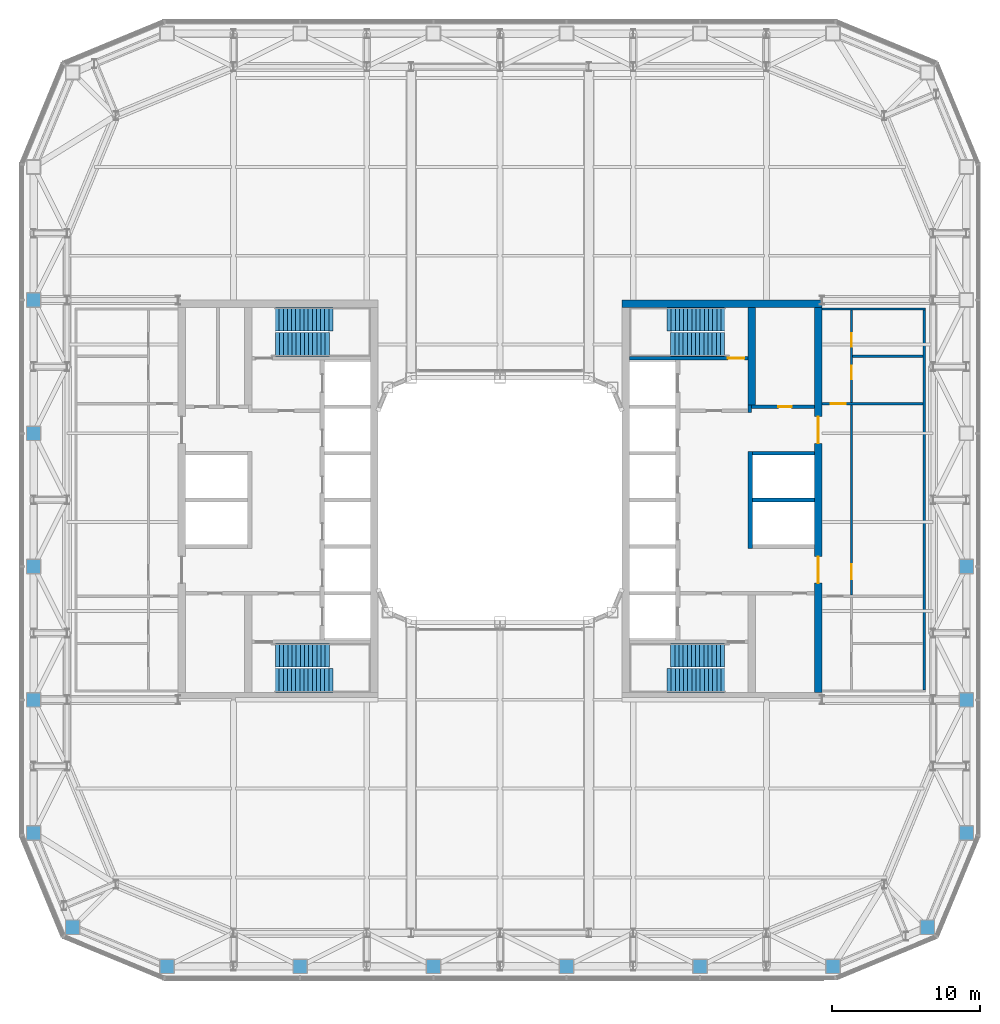
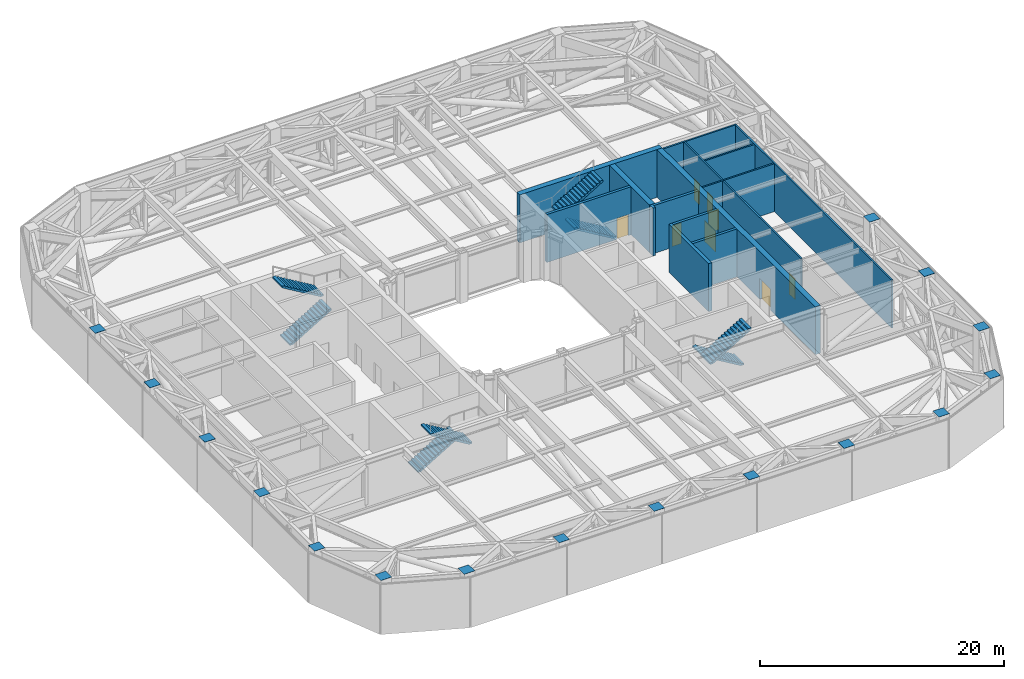
# One storey, part 18 of 33: 16 discrete accessories, 15 walls, 8 doors, 8 stair flights, 8 openings, 4 elements without a shape of their own.
"""IFC4 building model written with IfcOpenShell, lengths in metres."""

from ifc_helpers import new_model, si_unit, direction, frame, frame_2d, origin, origin_2d, place, context, subcontext, project, spatial, polyline, rectangle, outline, extrude, material, layer, layer_set, type_object, element, fill, aggregate, save


model = new_model("IFC4")

# Units and contexts
model_context = context("Model", 3, precision=1e-05, world=origin(), true_north=direction((0.0, 1.0)))
body_context = subcontext(model_context, "Body", "Model", "MODEL_VIEW")
ifc_project = project(units=[si_unit("LENGTHUNIT", "METRE"), si_unit("AREAUNIT", "SQUARE_METRE"), si_unit("VOLUMEUNIT", "CUBIC_METRE"), si_unit("PLANEANGLEUNIT", "RADIAN"), si_unit("MASSUNIT", "GRAM", prefix="KILO")], contexts=[model_context])

# Site, building, storey
site_placement = place(None, origin())
site = spatial("IfcSite", under=ifc_project, at=site_placement, CompositionType="ELEMENT")
building_placement = place(site_placement, origin())
building = spatial("IfcBuilding", under=site, at=building_placement, Name="Siwar Civic Tower", CompositionType="ELEMENT")
storey_placement = place(building_placement, frame((0.0, 0.0, 94.199951171875)))
storey = spatial("IfcBuildingStorey", under=building, at=storey_placement, Name="L20", CompositionType="ELEMENT", Elevation=94.199951171875)

# Wall, opening, door
ifc_material_1 = material(Name="Gypsum board on steel studs", Category="steel")
ifc_layer_1 = layer(ifc_material_1, 0.14990234375)
ifc_layer_set_1 = layer_set([ifc_layer_1], Name="Gypsum board on steel studs")
wall_type_1 = type_object("IfcWallType", Name="COMPARTMENT PARTITION 150 EI 60", PredefinedType="PARTITIONING", material=ifc_layer_set_1)
wall_1_placement = place(storey_placement, frame((21.75, 6.5, 0.0), z_axis=(0.0, 0.0, 1.0), x_axis=(1.0, 0.0, 0.0)))
wall_1 = element("IfcWall", 1, at=wall_1_placement, inside=storey, type_object=wall_type_1, Name="L20/wall/P08", PredefinedType="PARTITIONING", context=body_context, shape_type="SweptSolid", body=[
    extrude(rectangle(XDim=6.824951171875, YDim=0.14990234375, at=frame_2d((3.41259765625, 0.0))), origin(), (0.0, 0.0, 1.0), 4.800048828125),
])
opening_1_placement = place(wall_1_placement, frame((0.60009765625, 0.0, 0.0)))
opening_1 = element("IfcOpeningElement", 2, at=opening_1_placement, cuts=wall_1, Name="Opening D1", PredefinedType="OPENING", context=body_context, shape_type="SweptSolid", body=[
    extrude(rectangle(XDim=1.0, YDim=2.10009765625, at=frame_2d((0.5, 1.050048828125))), frame((0.0, 0.0849609375, 0.0), z_axis=(0.0, -1.0, 0.0), x_axis=(1.0, 0.0, 0.0)), (0.0, 0.0, 1.0), 0.169921875),
])
ifc_material_2 = material(Name="Timber, painted", Category="wood")
door_type_1 = type_object("IfcDoorType", Name="DOOR 1000 X 2100 FD30", OperationType="SINGLE_SWING_LEFT", PredefinedType="DOOR", material=ifc_material_2)
door_1_placement = place(opening_1_placement, origin())
door_1 = element("IfcDoor", 3, at=door_1_placement, inside=storey, type_object=door_type_1, Name="L20-D01", OperationType="SINGLE_SWING_LEFT", OverallHeight=2.10009765625, OverallWidth=1.0, PredefinedType="DOOR", context=body_context, shape_type="SweptSolid", body=[
    extrude(rectangle(XDim=1.0, YDim=2.10009765625, at=frame_2d((0.5, 1.050048828125))), frame((0.0, 0.02490234375, 0.0), z_axis=(0.0, -1.0, 0.0), x_axis=(1.0, 0.0, 0.0)), (0.0, 0.0, 1.0), 0.050048828125),
])
fill(opening_1, door_1)

# Walls
wall_2_placement = place(storey_placement, frame((23.824951171875, 9.699951171875, 0.0), z_axis=(0.0, 0.0, 1.0), x_axis=(1.0, 0.0, 0.0)))
element("IfcWall", 4, at=wall_2_placement, inside=storey, type_object=wall_type_1, Name="L20/wall/P10", PredefinedType="PARTITIONING", context=body_context, shape_type="SweptSolid", body=[
    extrude(rectangle(XDim=4.75, YDim=0.14990234375, at=frame_2d((2.375, 0.0))), origin(), (0.0, 0.0, 1.0), 4.800048828125),
])
wall_3_placement = place(storey_placement, frame((21.75, 12.89990234375, 0.0), z_axis=(0.0, 0.0, 1.0), x_axis=(1.0, 0.0, 0.0)))
element("IfcWall", 5, at=wall_3_placement, inside=storey, type_object=wall_type_1, Name="L20/wall/P12", PredefinedType="PARTITIONING", context=body_context, shape_type="SweptSolid", body=[
    extrude(rectangle(XDim=6.97509765625, YDim=0.14990234375, at=frame_2d((3.487548828125, 0.0))), origin(), (0.0, 0.0, 1.0), 4.800048828125),
])

# Wall, opening, door
wall_4_placement = place(storey_placement, frame((23.75, -6.425048828125, 0.0), z_axis=(0.0, 0.0, 1.0), x_axis=(0.0, 1.0, 0.0)))
wall_4 = element("IfcWall", 6, at=wall_4_placement, inside=storey, type_object=wall_type_1, Name="L20/wall/P18", PredefinedType="PARTITIONING", context=body_context, shape_type="SweptSolid", body=[
    extrude(rectangle(XDim=12.85009765625, YDim=0.14990234375, at=frame_2d((6.425048828125, 0.0))), origin(), (0.0, 0.0, 1.0), 4.800048828125),
])
opening_2_placement = place(wall_4_placement, frame((1.074951171875, 0.0, 0.0)))
opening_2 = element("IfcOpeningElement", 7, at=opening_2_placement, cuts=wall_4, Name="Opening D1", PredefinedType="OPENING", context=body_context, shape_type="SweptSolid", body=[
    extrude(rectangle(XDim=1.0, YDim=2.10009765625, at=frame_2d((0.5, 1.050048828125))), frame((0.0, 0.0849609375, 0.0), z_axis=(0.0, -1.0, 0.0), x_axis=(1.0, 0.0, 0.0)), (0.0, 0.0, 1.0), 0.169921875),
])
door_2_placement = place(opening_2_placement, origin())
door_2 = element("IfcDoor", 8, at=door_2_placement, inside=storey, type_object=door_type_1, Name="L20-D03", OperationType="SINGLE_SWING_LEFT", OverallHeight=2.10009765625, OverallWidth=1.0, PredefinedType="DOOR", context=body_context, shape_type="SweptSolid", body=[
    extrude(rectangle(XDim=1.0, YDim=2.10009765625, at=frame_2d((0.5, 1.050048828125))), frame((0.0, 0.02490234375, 0.0), z_axis=(0.0, -1.0, 0.0), x_axis=(1.0, 0.0, 0.0)), (0.0, 0.0, 1.0), 0.050048828125),
])
fill(opening_2, door_2)

# Wall, openings, doors
wall_5_placement = place(storey_placement, frame((23.75, 6.574951171875, 0.0), z_axis=(0.0, 0.0, 1.0), x_axis=(0.0, 1.0, 0.0)))
wall_5 = element("IfcWall", 9, at=wall_5_placement, inside=storey, type_object=wall_type_1, Name="L20/wall/P19", PredefinedType="PARTITIONING", context=body_context, shape_type="SweptSolid", body=[
    extrude(rectangle(XDim=6.25, YDim=0.14990234375, at=frame_2d((3.125, 0.0))), origin(), (0.0, 0.0, 1.0), 4.800048828125),
])
opening_3_placement = place(wall_5_placement, frame((1.574951171875, 0.0, 0.0)))
opening_3 = element("IfcOpeningElement", 10, at=opening_3_placement, cuts=wall_5, Name="Opening D4", PredefinedType="OPENING", context=body_context, shape_type="SweptSolid", body=[
    extrude(rectangle(XDim=0.89990234375, YDim=2.10009765625, at=frame_2d((0.449951171875, 1.050048828125))), frame((0.0, 0.0849609375, 0.0), z_axis=(0.0, -1.0, 0.0), x_axis=(1.0, 0.0, 0.0)), (0.0, 0.0, 1.0), 0.169921875),
])
opening_4_placement = place(wall_5_placement, frame((3.77490234375, 0.0, 0.0)))
opening_4 = element("IfcOpeningElement", 11, at=opening_4_placement, cuts=wall_5, Name="Opening D4", PredefinedType="OPENING", context=body_context, shape_type="SweptSolid", body=[
    extrude(rectangle(XDim=0.89990234375, YDim=2.10009765625, at=frame_2d((0.449951171875, 1.050048828125))), frame((0.0, 0.0849609375, 0.0), z_axis=(0.0, -1.0, 0.0), x_axis=(1.0, 0.0, 0.0)), (0.0, 0.0, 1.0), 0.169921875),
])
ifc_material_3 = material(Name="Timber, painted", Category="wood")
door_type_2 = type_object("IfcDoorType", Name="DOOR 900 X 2100 FD60", OperationType="SINGLE_SWING_LEFT", PredefinedType="DOOR", material=ifc_material_3)
door_3_placement = place(opening_3_placement, origin())
door_3 = element("IfcDoor", 12, at=door_3_placement, inside=storey, type_object=door_type_2, Name="L20-D04", OperationType="SINGLE_SWING_RIGHT", OverallHeight=2.10009765625, OverallWidth=0.89990234375, PredefinedType="DOOR", context=body_context, shape_type="SweptSolid", body=[
    extrude(rectangle(XDim=0.89990234375, YDim=2.10009765625, at=frame_2d((0.449951171875, 1.050048828125))), frame((0.0, 0.02490234375, 0.0), z_axis=(0.0, -1.0, 0.0), x_axis=(1.0, 0.0, 0.0)), (0.0, 0.0, 1.0), 0.050048828125),
])
fill(opening_3, door_3)
door_4_placement = place(opening_4_placement, origin())
door_4 = element("IfcDoor", 13, at=door_4_placement, inside=storey, type_object=door_type_2, Name="L20-D05", OperationType="SINGLE_SWING_LEFT", OverallHeight=2.10009765625, OverallWidth=0.89990234375, PredefinedType="DOOR", context=body_context, shape_type="SweptSolid", body=[
    extrude(rectangle(XDim=0.89990234375, YDim=2.10009765625, at=frame_2d((0.449951171875, 1.050048828125))), frame((0.0, 0.02490234375, 0.0), z_axis=(0.0, -1.0, 0.0), x_axis=(1.0, 0.0, 0.0)), (0.0, 0.0, 1.0), 0.050048828125),
])
fill(opening_4, door_4)

# Walls
wall_6_placement = place(storey_placement, frame((28.64990234375, -12.824951171875, 0.0), z_axis=(0.0, 0.0, 1.0), x_axis=(0.0, 1.0, 0.0)))
element("IfcWall", 14, at=wall_6_placement, inside=storey, type_object=wall_type_1, Name="L20/wall/P20", PredefinedType="PARTITIONING", context=body_context, shape_type="SweptSolid", body=[
    extrude(rectangle(XDim=25.64990234375, YDim=0.14990234375, at=frame_2d((12.824951171875, 0.0))), origin(), (0.0, 0.0, 1.0), 4.800048828125),
])
ifc_material_4 = material(Name="Concrete C60/75", Category="concrete")
ifc_layer_2 = layer(ifc_material_4, 0.25)
ifc_layer_set_2 = layer_set([ifc_layer_2], Name="Concrete C60/75")
wall_type_2 = type_object("IfcWallType", Name="CORE-WALL-RC250", PredefinedType="SHEAR", material=ifc_layer_set_2)
wall_7_placement = place(storey_placement, frame((16.875, 5.89990234375, 0.0), z_axis=(0.0, 0.0, 1.0), x_axis=(0.0, 1.0, 0.0)))
element("IfcWall", 15, at=wall_7_placement, inside=storey, type_object=wall_type_2, Name="Core wall E", PredefinedType="SHEAR", context=body_context, shape_type="SweptSolid", body=[
    extrude(rectangle(XDim=0.525146484375, YDim=0.25, at=frame_2d((0.2626953125, 0.0))), origin(), (0.0, 0.0, 1.0), 4.800048828125),
])

# Wall, opening, door
wall_8_placement = place(storey_placement, frame((17.0, 6.300048828125, 0.0), z_axis=(0.0, 0.0, 1.0), x_axis=(1.0, 0.0, 0.0)))
wall_8 = element("IfcWall", 16, at=wall_8_placement, inside=storey, type_object=wall_type_2, Name="Core wall E", PredefinedType="SHEAR", context=body_context, shape_type="SweptSolid", body=[
    extrude(rectangle(XDim=4.25, YDim=0.25, at=frame_2d((2.125, 0.0))), origin(), (0.0, 0.0, 1.0), 4.800048828125),
])
opening_5_placement = place(wall_8_placement, frame((1.800048828125, 0.0, 0.0)))
opening_5 = element("IfcOpeningElement", 17, at=opening_5_placement, cuts=wall_8, Name="Opening L20-CE13", PredefinedType="OPENING", context=body_context, shape_type="SweptSolid", body=[
    extrude(rectangle(XDim=0.89990234375, YDim=2.10009765625, at=frame_2d((0.449951171875, 1.050048828125))), frame((0.0, 0.135009765625, 0.0), z_axis=(0.0, -1.0, 0.0), x_axis=(1.0, 0.0, 0.0)), (0.0, 0.0, 1.0), 0.27001953125),
])
ifc_material_5 = material(Name="Steel door leaf", Category="steel")
door_type_3 = type_object("IfcDoorType", Name="CORE-DOOR-ROOM", OperationType="SINGLE_SWING_LEFT", PredefinedType="DOOR", material=ifc_material_5)
door_5_placement = place(opening_5_placement, origin())
door_5 = element("IfcDoor", 18, at=door_5_placement, inside=storey, type_object=door_type_3, Name="Core room door L20-CE13", OperationType="SINGLE_SWING_RIGHT", OverallHeight=2.10009765625, OverallWidth=0.89990234375, PredefinedType="DOOR", context=body_context, shape_type="SweptSolid", body=[
    extrude(rectangle(XDim=0.89990234375, YDim=2.10009765625, at=frame_2d((0.449951171875, 1.050048828125))), frame((0.0, 0.02490234375, 0.0), z_axis=(0.0, -1.0, 0.0), x_axis=(1.0, 0.0, 0.0)), (0.0, 0.0, 1.0), 0.050048828125),
])
fill(opening_5, door_5)

# Walls
for number, where, z_axis, x_axis, name in (
    (19, (17.050048828125, 0.0, 0.0), (0.0, 0.0, 1.0), (1.0, 0.0, 0.0), "Core wall E"),
    (20, (17.050048828125, 3.14990234375, 0.0), (0.0, 0.0, 1.0), (1.0, 0.0, 0.0), "Core wall E"),
):
    element("IfcWall", number, at=place(storey_placement, frame(where, z_axis=z_axis, x_axis=x_axis)), inside=storey, type_object=wall_type_2, Name=name, PredefinedType="SHEAR", context=body_context, shape_type="SweptSolid", body=[
        extrude(rectangle(XDim=4.199951171875, YDim=0.25, at=frame_2d((2.10009765625, 0.0))), origin(), (0.0, 0.0, 1.0), 4.800048828125),
    ])

# Wall, opening, door
wall_9_placement = place(storey_placement, frame((8.75, 9.574951171875, 0.0), z_axis=(0.0, 0.0, 1.0), x_axis=(1.0, 0.0, 0.0)))
wall_9 = element("IfcWall", 21, at=wall_9_placement, inside=storey, type_object=wall_type_2, Name="Core wall E", PredefinedType="SHEAR", context=body_context, shape_type="SweptSolid", body=[
    extrude(rectangle(XDim=8.0, YDim=0.25, at=frame_2d((4.0, 0.0))), origin(), (0.0, 0.0, 1.0), 4.800048828125),
])
opening_6_placement = place(wall_9_placement, frame((6.64990234375, 0.0, 0.0)))
opening_6 = element("IfcOpeningElement", 22, at=opening_6_placement, cuts=wall_9, Name="Opening L20-CE03", PredefinedType="OPENING", context=body_context, shape_type="SweptSolid", body=[
    extrude(rectangle(XDim=1.10009765625, YDim=2.10009765625, at=frame_2d((0.550048828125, 1.050048828125))), frame((0.0, 0.135009765625, 0.0), z_axis=(0.0, -1.0, 0.0), x_axis=(1.0, 0.0, 0.0)), (0.0, 0.0, 1.0), 0.27001953125),
])
ifc_material_6 = material(Name="Steel door leaf", Category="steel")
door_type_4 = type_object("IfcDoorType", Name="CORE-DOOR-FD60S", OperationType="SINGLE_SWING_LEFT", PredefinedType="DOOR", material=ifc_material_6)
door_6_placement = place(opening_6_placement, origin())
door_6 = element("IfcDoor", 23, at=door_6_placement, inside=storey, type_object=door_type_4, Name="Stair door L20-CE03", OperationType="SINGLE_SWING_LEFT", OverallHeight=2.10009765625, OverallWidth=1.10009765625, PredefinedType="DOOR", context=body_context, shape_type="SweptSolid", body=[
    extrude(rectangle(XDim=1.10009765625, YDim=2.10009765625, at=frame_2d((0.550048828125, 1.050048828125))), frame((0.0, 0.02490234375, 0.0), z_axis=(0.0, -1.0, 0.0), x_axis=(1.0, 0.0, 0.0)), (0.0, 0.0, 1.0), 0.050048828125),
])
fill(opening_6, door_6)

# Wall
ifc_material_7 = material(Name="Concrete C60/75", Category="concrete")
ifc_layer_3 = layer(ifc_material_7, 0.300048828125)
ifc_layer_set_3 = layer_set([ifc_layer_3], Name="Concrete C60/75")
wall_type_3 = type_object("IfcWallType", Name="CORE-WALL-RC300", PredefinedType="SHEAR", material=ifc_layer_set_3)
wall_10_placement = place(storey_placement, frame((16.89990234375, -3.27490234375, 0.0), z_axis=(0.0, 0.0, 1.0), x_axis=(0.0, 1.0, 0.0)))
element("IfcWall", 24, at=wall_10_placement, inside=storey, type_object=wall_type_3, Name="Core wall E", PredefinedType="SHEAR", context=body_context, shape_type="SweptSolid", body=[
    extrude(rectangle(XDim=6.5498046875, YDim=0.300048828125, at=frame_2d((3.27490234375, 0.0))), origin(), (0.0, 0.0, 1.0), 4.800048828125),
])

# Wall, openings, doors
ifc_material_8 = material(Name="Concrete C60/75", Category="concrete")
ifc_layer_4 = layer(ifc_material_8, 0.5)
ifc_layer_set_4 = layer_set([ifc_layer_4], Name="Concrete C60/75")
wall_type_4 = type_object("IfcWallType", Name="CORE-WALL-RC500", PredefinedType="SHEAR", material=ifc_layer_set_4)
wall_11_placement = place(storey_placement, frame((21.5, -13.0, 0.0), z_axis=(0.0, 0.0, 1.0), x_axis=(0.0, 1.0, 0.0)))
wall_11 = element("IfcWall", 25, at=wall_11_placement, inside=storey, type_object=wall_type_4, Name="Core wall E", PredefinedType="SHEAR", context=body_context, shape_type="SweptSolid", body=[
    extrude(rectangle(XDim=26.0, YDim=0.5, at=frame_2d((13.0, 0.0))), origin(), (0.0, 0.0, 1.0), 4.800048828125),
])
opening_7_placement = place(wall_11_placement, frame((16.824951171875, 0.0, 0.0)))
opening_7 = element("IfcOpeningElement", 26, at=opening_7_placement, cuts=wall_11, Name="Opening L20-CE05", PredefinedType="OPENING", context=body_context, shape_type="SweptSolid", body=[
    extrude(rectangle(XDim=1.800048828125, YDim=2.10009765625, at=frame_2d((0.89990234375, 1.050048828125))), frame((0.0, 0.260009765625, 0.0), z_axis=(0.0, -1.0, 0.0), x_axis=(1.0, 0.0, 0.0)), (0.0, 0.0, 1.0), 0.52001953125),
])
opening_8_placement = place(wall_11_placement, frame((7.375, 0.0, 0.0)))
opening_8 = element("IfcOpeningElement", 27, at=opening_8_placement, cuts=wall_11, Name="Opening L20-CE06", PredefinedType="OPENING", context=body_context, shape_type="SweptSolid", body=[
    extrude(rectangle(XDim=1.800048828125, YDim=2.10009765625, at=frame_2d((0.89990234375, 1.050048828125))), frame((0.0, 0.260009765625, 0.0), z_axis=(0.0, -1.0, 0.0), x_axis=(1.0, 0.0, 0.0)), (0.0, 0.0, 1.0), 0.52001953125),
])
ifc_material_9 = material(Name="Steel door leaf", Category="steel")
door_type_5 = type_object("IfcDoorType", Name="CORE-DOOR-PORT", OperationType="DOUBLE_DOOR_DOUBLE_SWING", PredefinedType="DOOR", material=ifc_material_9)
door_7_placement = place(opening_7_placement, origin())
door_7 = element("IfcDoor", 28, at=door_7_placement, inside=storey, type_object=door_type_5, Name="Core entrance door L20-CE05", OperationType="DOUBLE_DOOR_DOUBLE_SWING", OverallHeight=2.10009765625, OverallWidth=1.800048828125, PredefinedType="DOOR", context=body_context, shape_type="SweptSolid", body=[
    extrude(rectangle(XDim=1.800048828125, YDim=2.10009765625, at=frame_2d((0.89990234375, 1.050048828125))), frame((0.0, 0.02490234375, 0.0), z_axis=(0.0, -1.0, 0.0), x_axis=(1.0, 0.0, 0.0)), (0.0, 0.0, 1.0), 0.050048828125),
])
fill(opening_7, door_7)
door_8_placement = place(opening_8_placement, origin())
door_8 = element("IfcDoor", 29, at=door_8_placement, inside=storey, type_object=door_type_5, Name="Core entrance door L20-CE06", OperationType="DOUBLE_DOOR_DOUBLE_SWING", OverallHeight=2.10009765625, OverallWidth=1.800048828125, PredefinedType="DOOR", context=body_context, shape_type="SweptSolid", body=[
    extrude(rectangle(XDim=1.800048828125, YDim=2.10009765625, at=frame_2d((0.89990234375, 1.050048828125))), frame((0.0, 0.02490234375, 0.0), z_axis=(0.0, -1.0, 0.0), x_axis=(1.0, 0.0, 0.0)), (0.0, 0.0, 1.0), 0.050048828125),
])
fill(opening_8, door_8)

# Walls
wall_12_placement = place(storey_placement, frame((17.0, 6.425048828125, 0.0), z_axis=(0.0, 0.0, 1.0), x_axis=(0.0, 1.0, 0.0)))
element("IfcWall", 30, at=wall_12_placement, inside=storey, type_object=wall_type_4, Name="Core wall E", PredefinedType="SHEAR", context=body_context, shape_type="SweptSolid", body=[
    extrude(rectangle(XDim=6.574951171875, YDim=0.5, at=frame_2d((3.28759765625, 0.0))), origin(), (0.0, 0.0, 1.0), 4.800048828125),
])
wall_13_placement = place(storey_placement, frame((8.25, 13.25, 0.0), z_axis=(0.0, 0.0, 1.0), x_axis=(1.0, 0.0, 0.0)))
element("IfcWall", 31, at=wall_13_placement, inside=storey, type_object=wall_type_4, Name="Core wall E", PredefinedType="SHEAR", context=body_context, shape_type="SweptSolid", body=[
    extrude(rectangle(XDim=13.5, YDim=0.5, at=frame_2d((6.75, 0.0))), origin(), (0.0, 0.0, 1.0), 4.800048828125),
])

# Stair, stair flights
ifc_material_10 = material(Name="Concrete C40/50", Category="concrete")
stair_type = type_object("IfcStairType", Name="CORE-STAIR", PredefinedType="TWO_STRAIGHT_RUN_STAIR", material=ifc_material_10)
stair_1_placement = place(storey_placement, origin())
stair_1 = element("IfcStair", 32, at=stair_1_placement, inside=storey, type_object=stair_type, Name="Exit stair ST1", PredefinedType="TWO_STRAIGHT_RUN_STAIR")
ifc_material_11 = material(Name="Concrete C40/50", Category="concrete")
stair_flight_type = type_object("IfcStairFlightType", Name="CORE-STAIR-FLIGHT", PredefinedType="STRAIGHT", material=ifc_material_11)
stair_flight_1_placement = place(storey_placement, frame((-15.449951171875, 10.5, 0.0), z_axis=(0.0, 0.0, 1.0), x_axis=(1.0, 0.0, 0.0)))
stair_flight_1 = element("IfcStairFlight", 33, at=stair_flight_1_placement, type_object=stair_flight_type, Name="ST1 flight 1", NumberOfRisers=15, NumberOfTreads=14, PredefinedType="STRAIGHT", RiserHeight=0.166666667, TreadLength=0.28, context=body_context, shape_type="SweptSolid", body=[
    extrude(outline(polyline([(0.0, 0.0), (0.0, 0.166748046875), (0.280029296875, 0.166748046875), (0.280029296875, 0.333251953125), (0.56005859375, 0.333251953125), (0.56005859375, 0.5), (0.840087890625, 0.5), (0.840087890625, 0.666748046875), (1.1201171875, 0.666748046875), (1.1201171875, 0.833251953125), (1.39990234375, 0.833251953125), (1.39990234375, 1.0), (1.679931640625, 1.0), (1.679931640625, 1.166748046875), (1.9599609375, 1.166748046875), (1.9599609375, 1.333251953125), (2.239990234375, 1.333251953125), (2.239990234375, 1.5), (2.52001953125, 1.5), (2.52001953125, 1.666748046875), (2.800048828125, 1.666748046875), (2.800048828125, 1.833251953125), (3.080078125, 1.833251953125), (3.080078125, 2.0), (3.360107421875, 2.0), (3.360107421875, 2.166748046875), (3.639892578125, 2.166748046875), (3.639892578125, 2.333251953125), (3.919921875, 2.333251953125), (3.919921875, 2.5), (3.919921875, 2.158935546875), (0.29296875, 0.0), (0.0, 0.0)])), frame((0.0, 0.800048828125, 0.0), z_axis=(0.0, -1.0, 0.0), x_axis=(1.0, 0.0, 0.0)), (0.0, 0.0, 1.0), 1.60009765625),
])
stair_flight_2_placement = place(storey_placement, frame((-11.280029296875, 12.199951171875, 2.5), z_axis=(0.0, 0.0, 1.0), x_axis=(-1.0, 0.0, 0.0)))
stair_flight_2 = element("IfcStairFlight", 34, at=stair_flight_2_placement, type_object=stair_flight_type, Name="ST1 flight 2", NumberOfRisers=15, NumberOfTreads=14, PredefinedType="STRAIGHT", RiserHeight=0.166666667, TreadLength=0.28, context=body_context, shape_type="SweptSolid", body=[
    extrude(outline(polyline([(0.0, 0.0), (0.0, 0.166748046875), (0.280029296875, 0.166748046875), (0.280029296875, 0.333251953125), (0.56005859375, 0.333251953125), (0.56005859375, 0.5), (0.840087890625, 0.5), (0.840087890625, 0.666748046875), (1.1201171875, 0.666748046875), (1.1201171875, 0.833251953125), (1.39990234375, 0.833251953125), (1.39990234375, 1.0), (1.679931640625, 1.0), (1.679931640625, 1.166748046875), (1.9599609375, 1.166748046875), (1.9599609375, 1.333251953125), (2.239990234375, 1.333251953125), (2.239990234375, 1.5), (2.52001953125, 1.5), (2.52001953125, 1.666748046875), (2.800048828125, 1.666748046875), (2.800048828125, 1.833251953125), (3.080078125, 1.833251953125), (3.080078125, 2.0), (3.360107421875, 2.0), (3.360107421875, 2.166748046875), (3.639892578125, 2.166748046875), (3.639892578125, 2.333251953125), (3.919921875, 2.333251953125), (3.919921875, 2.5), (3.919921875, 2.158935546875), (0.29296875, 0.0), (0.0, 0.0)])), frame((0.0, 0.800048828125, 0.0), z_axis=(0.0, -1.0, 0.0), x_axis=(1.0, 0.0, 0.0)), (0.0, 0.0, 1.0), 1.60009765625),
])
aggregate(stair_1, [stair_flight_1, stair_flight_2])

stair_2_placement = place(storey_placement, origin())
stair_2 = element("IfcStair", 35, at=stair_2_placement, inside=storey, type_object=stair_type, Name="Exit stair ST2", PredefinedType="TWO_STRAIGHT_RUN_STAIR")
stair_flight_3_placement = place(storey_placement, frame((-15.449951171875, -10.5, 0.0), z_axis=(0.0, 0.0, 1.0), x_axis=(1.0, 0.0, 0.0)))
stair_flight_3 = element("IfcStairFlight", 36, at=stair_flight_3_placement, type_object=stair_flight_type, Name="ST2 flight 1", NumberOfRisers=15, NumberOfTreads=14, PredefinedType="STRAIGHT", RiserHeight=0.166666667, TreadLength=0.28, context=body_context, shape_type="SweptSolid", body=[
    extrude(outline(polyline([(0.0, 0.0), (0.0, 0.166748046875), (0.280029296875, 0.166748046875), (0.280029296875, 0.333251953125), (0.56005859375, 0.333251953125), (0.56005859375, 0.5), (0.840087890625, 0.5), (0.840087890625, 0.666748046875), (1.1201171875, 0.666748046875), (1.1201171875, 0.833251953125), (1.39990234375, 0.833251953125), (1.39990234375, 1.0), (1.679931640625, 1.0), (1.679931640625, 1.166748046875), (1.9599609375, 1.166748046875), (1.9599609375, 1.333251953125), (2.239990234375, 1.333251953125), (2.239990234375, 1.5), (2.52001953125, 1.5), (2.52001953125, 1.666748046875), (2.800048828125, 1.666748046875), (2.800048828125, 1.833251953125), (3.080078125, 1.833251953125), (3.080078125, 2.0), (3.360107421875, 2.0), (3.360107421875, 2.166748046875), (3.639892578125, 2.166748046875), (3.639892578125, 2.333251953125), (3.919921875, 2.333251953125), (3.919921875, 2.5), (3.919921875, 2.158935546875), (0.29296875, 0.0), (0.0, 0.0)])), frame((0.0, 0.800048828125, 0.0), z_axis=(0.0, -1.0, 0.0), x_axis=(1.0, 0.0, 0.0)), (0.0, 0.0, 1.0), 1.60009765625),
])
stair_flight_4_placement = place(storey_placement, frame((-11.280029296875, -12.199951171875, 2.5), z_axis=(0.0, 0.0, 1.0), x_axis=(-1.0, 0.0, 0.0)))
stair_flight_4 = element("IfcStairFlight", 37, at=stair_flight_4_placement, type_object=stair_flight_type, Name="ST2 flight 2", NumberOfRisers=15, NumberOfTreads=14, PredefinedType="STRAIGHT", RiserHeight=0.166666667, TreadLength=0.28, context=body_context, shape_type="SweptSolid", body=[
    extrude(outline(polyline([(0.0, 0.0), (0.0, 0.166748046875), (0.280029296875, 0.166748046875), (0.280029296875, 0.333251953125), (0.56005859375, 0.333251953125), (0.56005859375, 0.5), (0.840087890625, 0.5), (0.840087890625, 0.666748046875), (1.1201171875, 0.666748046875), (1.1201171875, 0.833251953125), (1.39990234375, 0.833251953125), (1.39990234375, 1.0), (1.679931640625, 1.0), (1.679931640625, 1.166748046875), (1.9599609375, 1.166748046875), (1.9599609375, 1.333251953125), (2.239990234375, 1.333251953125), (2.239990234375, 1.5), (2.52001953125, 1.5), (2.52001953125, 1.666748046875), (2.800048828125, 1.666748046875), (2.800048828125, 1.833251953125), (3.080078125, 1.833251953125), (3.080078125, 2.0), (3.360107421875, 2.0), (3.360107421875, 2.166748046875), (3.639892578125, 2.166748046875), (3.639892578125, 2.333251953125), (3.919921875, 2.333251953125), (3.919921875, 2.5), (3.919921875, 2.158935546875), (0.29296875, 0.0), (0.0, 0.0)])), frame((0.0, 0.800048828125, 0.0), z_axis=(0.0, -1.0, 0.0), x_axis=(1.0, 0.0, 0.0)), (0.0, 0.0, 1.0), 1.60009765625),
])
aggregate(stair_2, [stair_flight_3, stair_flight_4])

stair_3_placement = place(storey_placement, origin())
stair_3 = element("IfcStair", 38, at=stair_3_placement, inside=storey, type_object=stair_type, Name="Exit stair ST3", PredefinedType="TWO_STRAIGHT_RUN_STAIR")
stair_flight_5_placement = place(storey_placement, frame((15.449951171875, 10.5, 0.0), z_axis=(0.0, 0.0, 1.0), x_axis=(-1.0, 0.0, 0.0)))
stair_flight_5 = element("IfcStairFlight", 39, at=stair_flight_5_placement, type_object=stair_flight_type, Name="ST3 flight 1", NumberOfRisers=15, NumberOfTreads=14, PredefinedType="STRAIGHT", RiserHeight=0.166666667, TreadLength=0.28, context=body_context, shape_type="SweptSolid", body=[
    extrude(outline(polyline([(0.0, 0.0), (0.0, 0.166748046875), (0.280029296875, 0.166748046875), (0.280029296875, 0.333251953125), (0.56005859375, 0.333251953125), (0.56005859375, 0.5), (0.840087890625, 0.5), (0.840087890625, 0.666748046875), (1.1201171875, 0.666748046875), (1.1201171875, 0.833251953125), (1.39990234375, 0.833251953125), (1.39990234375, 1.0), (1.679931640625, 1.0), (1.679931640625, 1.166748046875), (1.9599609375, 1.166748046875), (1.9599609375, 1.333251953125), (2.239990234375, 1.333251953125), (2.239990234375, 1.5), (2.52001953125, 1.5), (2.52001953125, 1.666748046875), (2.800048828125, 1.666748046875), (2.800048828125, 1.833251953125), (3.080078125, 1.833251953125), (3.080078125, 2.0), (3.360107421875, 2.0), (3.360107421875, 2.166748046875), (3.639892578125, 2.166748046875), (3.639892578125, 2.333251953125), (3.919921875, 2.333251953125), (3.919921875, 2.5), (3.919921875, 2.158935546875), (0.29296875, 0.0), (0.0, 0.0)])), frame((0.0, 0.800048828125, 0.0), z_axis=(0.0, -1.0, 0.0), x_axis=(1.0, 0.0, 0.0)), (0.0, 0.0, 1.0), 1.60009765625),
])
stair_flight_6_placement = place(storey_placement, frame((11.280029296875, 12.199951171875, 2.5), z_axis=(0.0, 0.0, 1.0), x_axis=(1.0, 0.0, 0.0)))
stair_flight_6 = element("IfcStairFlight", 40, at=stair_flight_6_placement, type_object=stair_flight_type, Name="ST3 flight 2", NumberOfRisers=15, NumberOfTreads=14, PredefinedType="STRAIGHT", RiserHeight=0.166666667, TreadLength=0.28, context=body_context, shape_type="SweptSolid", body=[
    extrude(outline(polyline([(0.0, 0.0), (0.0, 0.166748046875), (0.280029296875, 0.166748046875), (0.280029296875, 0.333251953125), (0.56005859375, 0.333251953125), (0.56005859375, 0.5), (0.840087890625, 0.5), (0.840087890625, 0.666748046875), (1.1201171875, 0.666748046875), (1.1201171875, 0.833251953125), (1.39990234375, 0.833251953125), (1.39990234375, 1.0), (1.679931640625, 1.0), (1.679931640625, 1.166748046875), (1.9599609375, 1.166748046875), (1.9599609375, 1.333251953125), (2.239990234375, 1.333251953125), (2.239990234375, 1.5), (2.52001953125, 1.5), (2.52001953125, 1.666748046875), (2.800048828125, 1.666748046875), (2.800048828125, 1.833251953125), (3.080078125, 1.833251953125), (3.080078125, 2.0), (3.360107421875, 2.0), (3.360107421875, 2.166748046875), (3.639892578125, 2.166748046875), (3.639892578125, 2.333251953125), (3.919921875, 2.333251953125), (3.919921875, 2.5), (3.919921875, 2.158935546875), (0.29296875, 0.0), (0.0, 0.0)])), frame((0.0, 0.800048828125, 0.0), z_axis=(0.0, -1.0, 0.0), x_axis=(1.0, 0.0, 0.0)), (0.0, 0.0, 1.0), 1.60009765625),
])
aggregate(stair_3, [stair_flight_5, stair_flight_6])

stair_4_placement = place(storey_placement, origin())
stair_4 = element("IfcStair", 41, at=stair_4_placement, inside=storey, type_object=stair_type, Name="Exit stair ST4", PredefinedType="TWO_STRAIGHT_RUN_STAIR")
stair_flight_7_placement = place(storey_placement, frame((15.449951171875, -10.5, 0.0), z_axis=(0.0, 0.0, 1.0), x_axis=(-1.0, 0.0, 0.0)))
stair_flight_7 = element("IfcStairFlight", 42, at=stair_flight_7_placement, type_object=stair_flight_type, Name="ST4 flight 1", NumberOfRisers=15, NumberOfTreads=14, PredefinedType="STRAIGHT", RiserHeight=0.166666667, TreadLength=0.28, context=body_context, shape_type="SweptSolid", body=[
    extrude(outline(polyline([(0.0, 0.0), (0.0, 0.166748046875), (0.280029296875, 0.166748046875), (0.280029296875, 0.333251953125), (0.56005859375, 0.333251953125), (0.56005859375, 0.5), (0.840087890625, 0.5), (0.840087890625, 0.666748046875), (1.1201171875, 0.666748046875), (1.1201171875, 0.833251953125), (1.39990234375, 0.833251953125), (1.39990234375, 1.0), (1.679931640625, 1.0), (1.679931640625, 1.166748046875), (1.9599609375, 1.166748046875), (1.9599609375, 1.333251953125), (2.239990234375, 1.333251953125), (2.239990234375, 1.5), (2.52001953125, 1.5), (2.52001953125, 1.666748046875), (2.800048828125, 1.666748046875), (2.800048828125, 1.833251953125), (3.080078125, 1.833251953125), (3.080078125, 2.0), (3.360107421875, 2.0), (3.360107421875, 2.166748046875), (3.639892578125, 2.166748046875), (3.639892578125, 2.333251953125), (3.919921875, 2.333251953125), (3.919921875, 2.5), (3.919921875, 2.158935546875), (0.29296875, 0.0), (0.0, 0.0)])), frame((0.0, 0.800048828125, 0.0), z_axis=(0.0, -1.0, 0.0), x_axis=(1.0, 0.0, 0.0)), (0.0, 0.0, 1.0), 1.60009765625),
])
stair_flight_8_placement = place(storey_placement, frame((11.280029296875, -12.199951171875, 2.5), z_axis=(0.0, 0.0, 1.0), x_axis=(1.0, 0.0, 0.0)))
stair_flight_8 = element("IfcStairFlight", 43, at=stair_flight_8_placement, type_object=stair_flight_type, Name="ST4 flight 2", NumberOfRisers=15, NumberOfTreads=14, PredefinedType="STRAIGHT", RiserHeight=0.166666667, TreadLength=0.28, context=body_context, shape_type="SweptSolid", body=[
    extrude(outline(polyline([(0.0, 0.0), (0.0, 0.166748046875), (0.280029296875, 0.166748046875), (0.280029296875, 0.333251953125), (0.56005859375, 0.333251953125), (0.56005859375, 0.5), (0.840087890625, 0.5), (0.840087890625, 0.666748046875), (1.1201171875, 0.666748046875), (1.1201171875, 0.833251953125), (1.39990234375, 0.833251953125), (1.39990234375, 1.0), (1.679931640625, 1.0), (1.679931640625, 1.166748046875), (1.9599609375, 1.166748046875), (1.9599609375, 1.333251953125), (2.239990234375, 1.333251953125), (2.239990234375, 1.5), (2.52001953125, 1.5), (2.52001953125, 1.666748046875), (2.800048828125, 1.666748046875), (2.800048828125, 1.833251953125), (3.080078125, 1.833251953125), (3.080078125, 2.0), (3.360107421875, 2.0), (3.360107421875, 2.166748046875), (3.639892578125, 2.166748046875), (3.639892578125, 2.333251953125), (3.919921875, 2.333251953125), (3.919921875, 2.5), (3.919921875, 2.158935546875), (0.29296875, 0.0), (0.0, 0.0)])), frame((0.0, 0.800048828125, 0.0), z_axis=(0.0, -1.0, 0.0), x_axis=(1.0, 0.0, 0.0)), (0.0, 0.0, 1.0), 1.60009765625),
])
aggregate(stair_4, [stair_flight_7, stair_flight_8])

# Discrete accessories
ifc_material_12 = material(Name="Steel S355", Category="steel")
ifc_layer_5 = layer(ifc_material_12, 0.02001953125)
ifc_layer_set_5 = layer_set([ifc_layer_5], Name="Steel S355")
discrete_accessory_type = type_object("IfcDiscreteAccessoryType", Name="STR-END-CAP", PredefinedType="USERDEFINED", material=ifc_layer_set_5)
for number, where, z_axis, x_axis, name in (
    (44, (-22.5, -31.5, 5.0), (0.0, 0.0, 1.0), (1.0, 0.0, 0.0), "End cap plate L20 col S-0"),
    (45, (-13.5, -31.5, 5.0), (0.0, 0.0, 1.0), (1.0, 0.0, 0.0), "End cap plate L20 col S-1"),
    (46, (-4.5, -31.5, 5.0), (0.0, 0.0, 1.0), (1.0, 0.0, 0.0), "End cap plate L20 col S-2"),
    (47, (4.5, -31.5, 5.0), (0.0, 0.0, 1.0), (1.0, 0.0, 0.0), "End cap plate L20 col S-3"),
    (48, (13.5, -31.5, 5.0), (0.0, 0.0, 1.0), (1.0, 0.0, 0.0), "End cap plate L20 col S-4"),
    (49, (22.5, -31.5, 5.0), (0.0, 0.0, 1.0), (1.0, 0.0, 0.0), "End cap plate L20 col SE1-0"),
    (50, (28.864013671875, -28.864013671875, 5.0), (0.0, 0.0, 1.0), (1.0, 0.0, 0.0), "End cap plate L20 col SE2-0"),
    (51, (31.5, -22.5, 5.0), (0.0, 0.0, 1.0), (1.0, 0.0, 0.0), "End cap plate L20 col E-0"),
    (52, (31.5, -13.5, 5.0), (0.0, 0.0, 1.0), (1.0, 0.0, 0.0), "End cap plate L20 col E-1"),
    (53, (31.5, -4.5, 5.0), (0.0, 0.0, 1.0), (1.0, 0.0, 0.0), "End cap plate L20 col E-2"),
    (54, (-31.5, 13.5, 5.0), (0.0, 0.0, 1.0), (1.0, 0.0, 0.0), "End cap plate L20 col W-1"),
    (55, (-31.5, 4.5, 5.0), (0.0, 0.0, 1.0), (1.0, 0.0, 0.0), "End cap plate L20 col W-2"),
    (56, (-31.5, -4.5, 5.0), (0.0, 0.0, 1.0), (1.0, 0.0, 0.0), "End cap plate L20 col W-3"),
    (57, (-31.5, -13.5, 5.0), (0.0, 0.0, 1.0), (1.0, 0.0, 0.0), "End cap plate L20 col W-4"),
    (58, (-31.5, -22.5, 5.0), (0.0, 0.0, 1.0), (1.0, 0.0, 0.0), "End cap plate L20 col SW1-0"),
    (59, (-28.864013671875, -28.864013671875, 5.0), (0.0, 0.0, 1.0), (1.0, 0.0, 0.0), "End cap plate L20 col SW2-0"),
):
    element("IfcDiscreteAccessory", number, at=place(storey_placement, frame(where, z_axis=z_axis, x_axis=x_axis)), inside=storey, type_object=discrete_accessory_type, Name=name, ObjectType="END CAP PLATE", PredefinedType="USERDEFINED", context=body_context, shape_type="SweptSolid", body=[
        extrude(rectangle(XDim=1.0, YDim=1.0, at=origin_2d()), origin(), (0.0, 0.0, 1.0), 0.02001953125),
    ])

save(model, "model.ifc")
